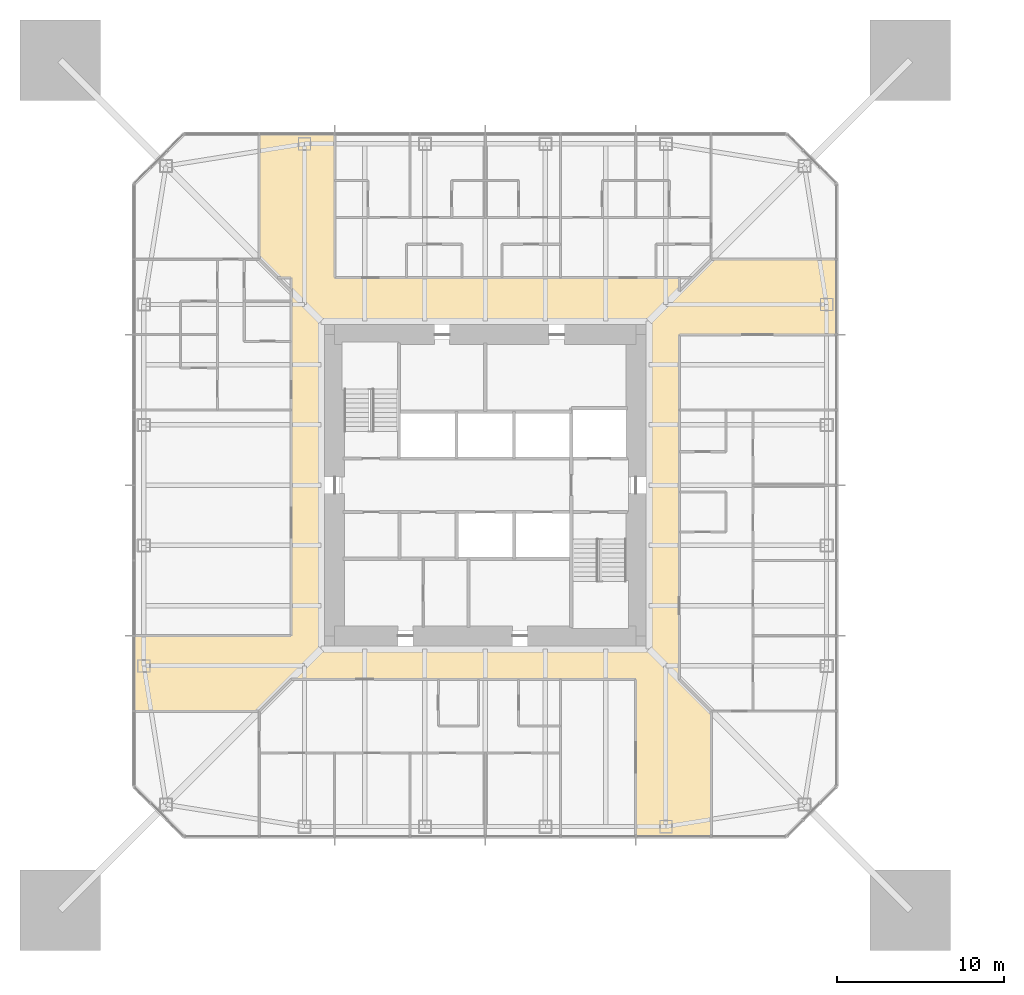
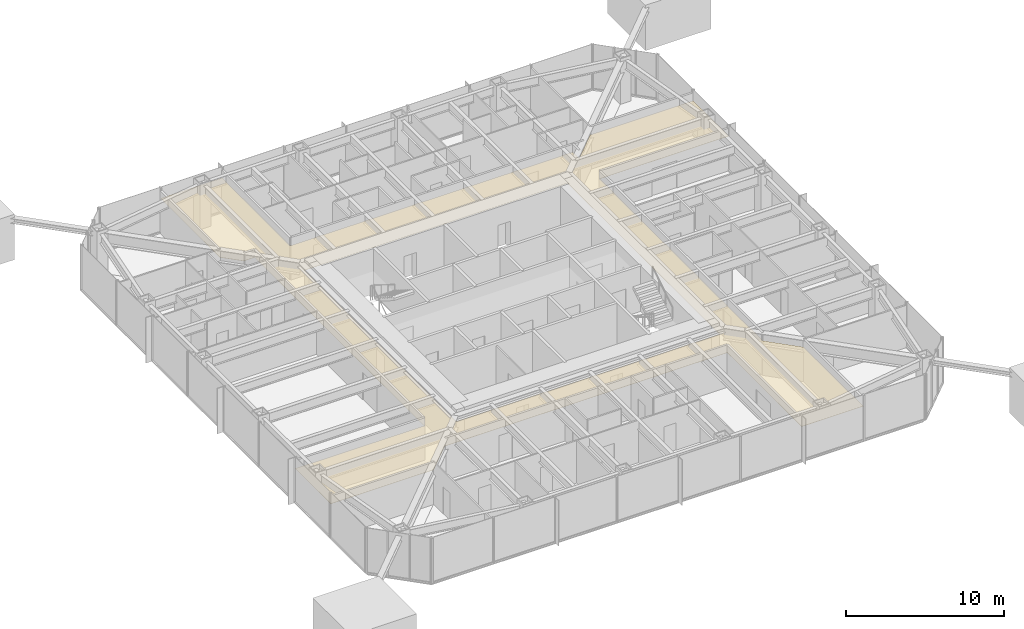
# One storey, part 20 of 23: 1 covering.
"""IFC4 building model written with IfcOpenShell, lengths in metres."""

from ifc_helpers import new_model, si_unit, direction, frame, origin, place, context, subcontext, project, spatial, polyline, outline, extrude, material, layer, layer_set, type_object, element, save


model = new_model("IFC4")

# Units and contexts
model_context = context("Model", 3, precision=1e-05, world=origin(), true_north=direction((0.0, 1.0)))
body_context = subcontext(model_context, "Body", "Model", "MODEL_VIEW")
ifc_project = project(units=[si_unit("LENGTHUNIT", "METRE"), si_unit("AREAUNIT", "SQUARE_METRE"), si_unit("VOLUMEUNIT", "CUBIC_METRE"), si_unit("PLANEANGLEUNIT", "RADIAN"), si_unit("MASSUNIT", "GRAM", prefix="KILO")], contexts=[model_context])

# Site, building, storey
site_placement = place(None, origin())
site = spatial("IfcSite", under=ifc_project, at=site_placement, CompositionType="ELEMENT")
building_placement = place(site_placement, origin())
building = spatial("IfcBuilding", under=site, at=building_placement, Name="Iwan Alto Co-Living Towers", CompositionType="ELEMENT")
storey_placement = place(building_placement, frame((0.0, 0.0, 122.5)))
storey = spatial("IfcBuildingStorey", under=building, at=storey_placement, Name="L33", CompositionType="ELEMENT", Elevation=122.5)

# Covering
ifc_material = material(Name="Gypsum plasterboard on steel grid", Category="steel")
ifc_layer = layer(ifc_material, 0.014892578125)
ifc_layer_set = layer_set([ifc_layer], Name="SUSPENDED PLASTERBOARD CEILING 15")
covering_type = type_object("IfcCoveringType", Name="SUSPENDED PLASTERBOARD CEILING 15", PredefinedType="CEILING", material=ifc_layer_set)
covering_placement = place(storey_placement, frame((0.0, 0.0, 2.60009765625)))
element("IfcCovering", 1, at=covering_placement, inside=storey, type_object=covering_type, Name="Ceiling Corridor L33", PredefinedType="CEILING", context=body_context, shape_type="SweptSolid", body=[
    extrude(outline(polyline([(13.5, -21.0), (9.0, -21.0), (9.0, -11.60009765625), (-11.60009765625, -11.60009765625), (-13.5, -13.5), (-21.0, -13.5), (-21.0, -9.0), (-11.60009765625, -9.0), (-11.60009765625, 12.39990234375), (-12.39990234375, 12.39990234375), (-13.5, 13.5), (-13.5, 21.0), (-9.0, 21.0), (-9.0, 12.39990234375), (11.60009765625, 12.39990234375), (11.60009765625, 11.60009765625), (13.5, 13.5), (21.0, 13.5), (21.0, 9.0), (11.60009765625, 9.0), (11.60009765625, -11.60009765625), (13.5, -13.5), (13.5, -21.0)]), holes=[polyline([(9.60009765625, -9.60009765625), (9.60009765625, 9.60009765625), (-9.60009765625, 9.60009765625), (-9.60009765625, -9.60009765625), (9.60009765625, -9.60009765625)])]), origin(), (0.0, 0.0, 1.0), 0.014892578125),
])

save(model, "model.ifc")
